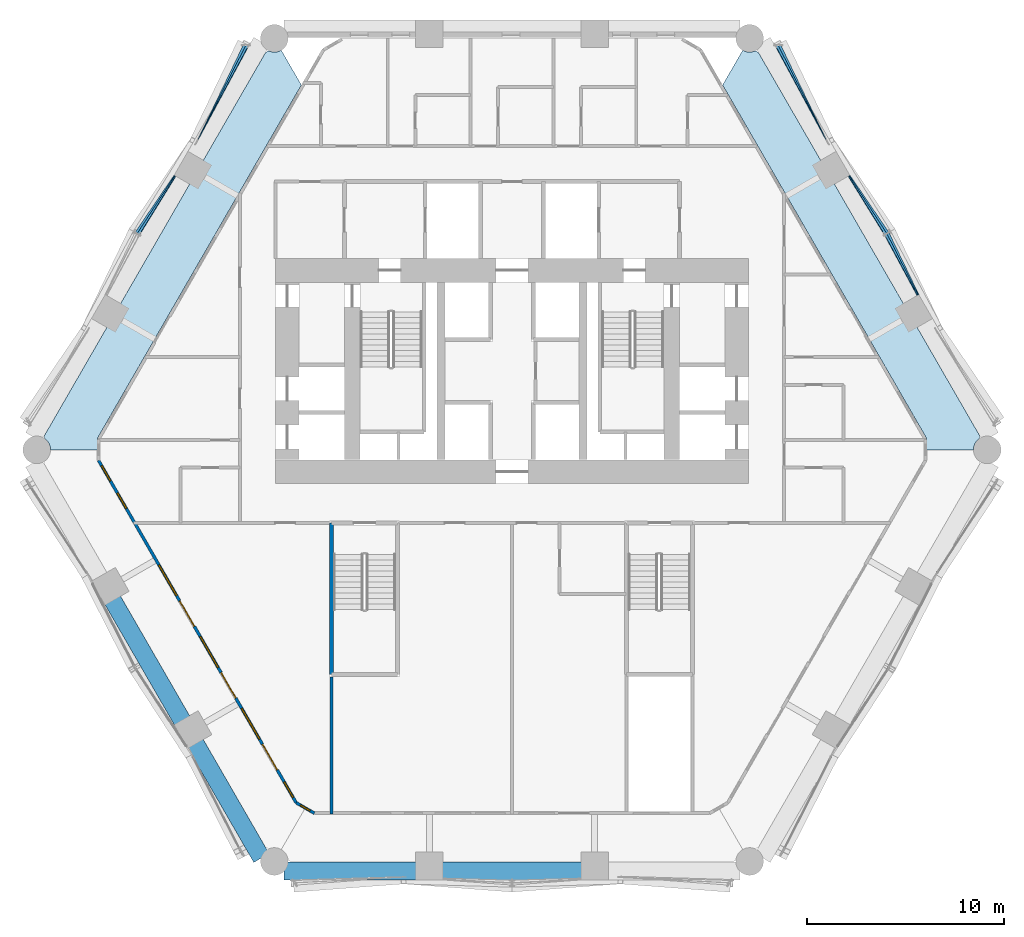
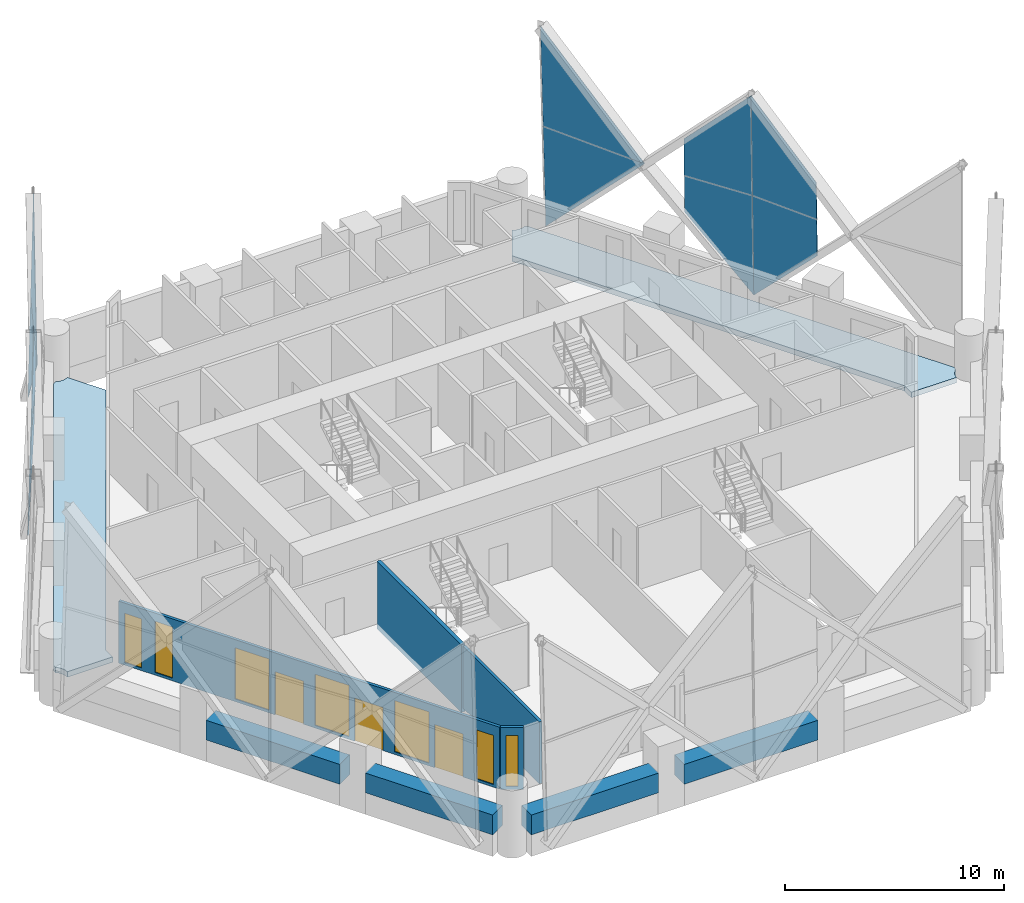
# One storey, part 10 of 22: 10 plates, 8 walls, 7 windows, 3 doors, 2 slabs, 10 openings, 8 elements without a shape of their own.
"""IFC4 building model written with IfcOpenShell, lengths in metres."""

from ifc_helpers import new_model, si_unit, direction, frame, frame_2d, origin, place, context, subcontext, project, spatial, polyline, rectangle, outline, extrude, material, layer, layer_set, type_object, element, fill, aggregate, save


model = new_model("IFC4")

# Units and contexts
model_context = context("Model", 3, precision=1e-05, world=origin(), true_north=direction((0.0, 1.0)))
body_context = subcontext(model_context, "Body", "Model", "MODEL_VIEW")
ifc_project = project(units=[si_unit("LENGTHUNIT", "METRE"), si_unit("AREAUNIT", "SQUARE_METRE"), si_unit("VOLUMEUNIT", "CUBIC_METRE"), si_unit("PLANEANGLEUNIT", "RADIAN"), si_unit("MASSUNIT", "GRAM", prefix="KILO")], contexts=[model_context])

# Site, building, storey
site_placement = place(None, origin())
site = spatial("IfcSite", under=ifc_project, at=site_placement, CompositionType="ELEMENT")
building_placement = place(site_placement, origin())
building = spatial("IfcBuilding", under=site, at=building_placement, Name="Ostrander Bayou Hotel Tower", CompositionType="ELEMENT")
storey_placement = place(building_placement, frame((0.0, 0.0, 35.5)))
storey = spatial("IfcBuildingStorey", under=building, at=storey_placement, Name="L08", CompositionType="ELEMENT", Elevation=35.5)

# Curtain wall, plate
ifc_material_1 = material(Name="Aluminium and clear glass", Category="aluminium")
curtain_wall_type = type_object("IfcCurtainWallType", Name="CW-LAT lattice glazing", PredefinedType="NOTDEFINED", material=ifc_material_1)
curtain_wall_1_placement = place(storey_placement, origin())
curtain_wall_1 = element("IfcCurtainWall", 1, at=curtain_wall_1_placement, inside=storey, type_object=curtain_wall_type, Name="CW-LAT L08 NW 3", PredefinedType="NOTDEFINED")
ifc_material_2 = material(Name="Clear laminated glass", Category="glass")
ifc_layer_1 = layer(ifc_material_2, 0.028076171875)
ifc_layer_set_1 = layer_set([ifc_layer_1], Name="CW-LA glazing panel 28 mm")
plate_type = type_object("IfcPlateType", Name="CW-LA glazing panel 28 mm", PredefinedType="CURTAIN_PANEL", material=ifc_layer_set_1)
plate_1_placement = place(storey_placement, frame((-16.0029296875, 15.6025390625, 5.02490234375), z_axis=(-0.890635098183, 0.454163745935, 0.022459157641), x_axis=(0.301815529557, 0.627372509875, -0.717851739547)))
plate_1 = element("IfcPlate", 2, at=plate_1_placement, type_object=plate_type, Name="CW-LAT panel 1", PredefinedType="CURTAIN_PANEL", context=body_context, shape_type="SweptSolid", body=[
    extrude(outline(polyline([(0.0, 0.0), (7.835879876180674, -4.440892098500626e-16), (3.840775077231162, -3.962307768069715), (0.0, 0.0)])), origin(), (0.0, 0.0, -1.0), 0.028076171875),
])
aggregate(curtain_wall_1, [plate_1])

curtain_wall_2_placement = place(storey_placement, origin())
curtain_wall_2 = element("IfcCurtainWall", 3, at=curtain_wall_2_placement, inside=storey, type_object=curtain_wall_type, Name="CW-LAT L08 NW 4", PredefinedType="NOTDEFINED")
plate_2_placement = place(storey_placement, frame((-16.0029296875, 15.6025390625, 5.02490234375), z_axis=(-0.890635870752, 0.454164139893, 0.022420521052), x_axis=(0.334143991684, 0.620236303147, 0.709686354018)))
plate_2 = element("IfcPlate", 4, at=plate_2_placement, type_object=plate_type, Name="CW-LAT panel 2", PredefinedType="CURTAIN_PANEL", context=body_context, shape_type="SweptSolid", body=[
    extrude(outline(polyline([(0.0, 0.0), (7.926036576792364, 4.440892098500626e-16), (3.8867355241166504, 3.917234101806442), (0.0, 0.0)])), origin(), (0.0, 0.0, -1.0), 0.028076171875),
])
aggregate(curtain_wall_2, [plate_2])

curtain_wall_3_placement = place(storey_placement, origin())
curtain_wall_3 = element("IfcCurtainWall", 5, at=curtain_wall_3_placement, inside=storey, type_object=curtain_wall_type, Name="CW-LAT L08 NW 1", PredefinedType="NOTDEFINED")
plate_3_placement = place(storey_placement, frame((-17.143310546875, 13.927734375, 2.96240234375), z_axis=(-0.838643838731, 0.544244591922, 0.021779254405), x_axis=(-0.394444088098, -0.579265122814, -0.713348287203)))
plate_3 = element("IfcPlate", 6, at=plate_3_placement, type_object=plate_type, Name="CW-LAT panel 3", PredefinedType="CURTAIN_PANEL", context=body_context, shape_type="SweptSolid", body=[
    extrude(outline(polyline([(0.0, 0.0), (4.994057615711855, -4.440892098500626e-16), (0.9749837354017745, 3.937353919673847), (-1.4713519345788906, 1.4460425904458272), (0.0, 0.0)])), origin(), (0.0, 0.0, -1.0), 0.028076171875),
])
aggregate(curtain_wall_3, [plate_3])

curtain_wall_4_placement = place(storey_placement, origin())
curtain_wall_4 = element("IfcCurtainWall", 7, at=curtain_wall_4_placement, inside=storey, type_object=curtain_wall_type, Name="CW-LAT L08 NW 2", PredefinedType="NOTDEFINED")
plate_4_placement = place(storey_placement, frame((-17.0673828125, 13.879638671875, 7.09130859375), z_axis=(-0.838652185889, 0.544232114577, 0.02176962487), x_axis=(-0.367903027677, -0.595499091639, 0.714162582388)))
plate_4 = element("IfcPlate", 8, at=plate_4_placement, type_object=plate_type, Name="CW-LAT panel 4", PredefinedType="CURTAIN_PANEL", context=body_context, shape_type="SweptSolid", body=[
    extrude(outline(polyline([(0.0, 0.0), (4.982889061400334, -4.440892098500626e-16), (0.968304502515396, -3.9419246135918904), (-1.4763664641626322, -1.4465147424479634), (0.0, 0.0)])), origin(), (0.0, 0.0, -1.0), 0.028076171875),
])
aggregate(curtain_wall_4, [plate_4])

curtain_wall_5_placement = place(storey_placement, origin())
curtain_wall_5 = element("IfcCurtainWall", 9, at=curtain_wall_5_placement, inside=storey, type_object=curtain_wall_type, Name="CW-LAT L08 NE 1", PredefinedType="NOTDEFINED")
plate_5_placement = place(storey_placement, frame((20.633544921875, 7.8828125, 2.96240234375), z_axis=(0.890635097681, 0.454195768275, 0.021801992127), x_axis=(-0.304428481532, 0.631198751382, -0.713380288406)))
plate_5 = element("IfcPlate", 10, at=plate_5_placement, type_object=plate_type, Name="CW-LAT panel 3", PredefinedType="CURTAIN_PANEL", context=body_context, shape_type="SweptSolid", body=[
    extrude(outline(polyline([(0.0, 0.0), (4.9938301762719775, 0.0), (0.974791623164807, 3.9373899813730233), (-1.4713372677323084, 1.446062526276006), (0.0, 0.0)])), origin(), (0.0, 0.0, -1.0), 0.028076171875),
])

curtain_wall_6_placement = place(storey_placement, origin())
curtain_wall_6 = element("IfcCurtainWall", 11, at=curtain_wall_6_placement, inside=storey, type_object=curtain_wall_type, Name="CW-LAT L08 NE 2", PredefinedType="NOTDEFINED")
plate_6_placement = place(storey_placement, frame((20.5537109375, 7.841064453125, 7.09130859375), z_axis=(0.890643995806, 0.454178797295, 0.02179203576), x_axis=(-0.33178010473, 0.616353908431, 0.714163721893)))
plate_6 = element("IfcPlate", 12, at=plate_6_placement, type_object=plate_type, Name="CW-LAT panel 4", PredefinedType="CURTAIN_PANEL", context=body_context, shape_type="SweptSolid", body=[
    extrude(outline(polyline([(0.0, 0.0), (4.982877360227583, 4.440892098500626e-16), (0.9682407227899055, -3.9418715712910695), (-1.476477473405865, -1.4464066998835963), (0.0, 0.0)])), origin(), (0.0, 0.0, -1.0), 0.028076171875),
])

curtain_wall_7_placement = place(storey_placement, origin())
curtain_wall_7 = element("IfcCurtainWall", 13, at=curtain_wall_7_placement, inside=storey, type_object=curtain_wall_type, Name="CW-LAT L08 NE 3", PredefinedType="NOTDEFINED")
plate_7_placement = place(storey_placement, frame((17.143310546875, 13.927734375, 2.96240234375), z_axis=(0.838643838731, 0.544244591922, 0.021779254405), x_axis=(0.394444088098, -0.579265122814, -0.713348287203)))
plate_7 = element("IfcPlate", 14, at=plate_7_placement, type_object=plate_type, Name="CW-LAT panel 5", PredefinedType="CURTAIN_PANEL", context=body_context, shape_type="SweptSolid", body=[
    extrude(outline(polyline([(0.0, 0.0), (4.994057615711855, 4.440892098500626e-16), (0.9749837354017745, -3.937353919673847), (-1.4713519345788906, -1.4460425904458272), (0.0, 0.0)])), origin(), (0.0, 0.0, -1.0), 0.028076171875),
])
aggregate(curtain_wall_7, [plate_7])

curtain_wall_8_placement = place(storey_placement, origin())
curtain_wall_8 = element("IfcCurtainWall", 15, at=curtain_wall_8_placement, inside=storey, type_object=curtain_wall_type, Name="CW-LAT L08 NE 4", PredefinedType="NOTDEFINED")
plate_8_placement = place(storey_placement, frame((17.0673828125, 13.879638671875, 7.09130859375), z_axis=(0.838652185889, 0.544232114577, 0.02176962487), x_axis=(0.367903027677, -0.595499091639, 0.714162582388)))
plate_8 = element("IfcPlate", 16, at=plate_8_placement, type_object=plate_type, Name="CW-LAT panel 6", PredefinedType="CURTAIN_PANEL", context=body_context, shape_type="SweptSolid", body=[
    extrude(outline(polyline([(0.0, 0.0), (4.982889061400334, 4.440892098500626e-16), (0.968304502515396, 3.9419246135918904), (-1.4763664641626322, 1.4465147424479634), (0.0, 0.0)])), origin(), (0.0, 0.0, -1.0), 0.028076171875),
])
aggregate(curtain_wall_8, [plate_8])

# Plate
plate_9_placement = place(storey_placement, frame((16.0029296875, 15.6025390625, 5.02490234375), z_axis=(0.890635098183, 0.454163745935, 0.022459157641), x_axis=(-0.301815529557, 0.627372509875, -0.717851739547)))
plate_9 = element("IfcPlate", 17, at=plate_9_placement, type_object=plate_type, Name="CW-LAT panel 7", PredefinedType="CURTAIN_PANEL", context=body_context, shape_type="SweptSolid", body=[
    extrude(outline(polyline([(0.0, 0.0), (7.835879876180674, 4.440892098500626e-16), (3.840775077231162, 3.962307768069715), (0.0, 0.0)])), origin(), (0.0, 0.0, -1.0), 0.028076171875),
])

aggregate(curtain_wall_5, [plate_5, plate_9])

plate_10_placement = place(storey_placement, frame((16.0029296875, 15.6025390625, 5.02490234375), z_axis=(0.890635870752, 0.454164139893, 0.022420521052), x_axis=(-0.334143991684, 0.620236303147, 0.709686354018)))
plate_10 = element("IfcPlate", 18, at=plate_10_placement, type_object=plate_type, Name="CW-LAT panel 8", PredefinedType="CURTAIN_PANEL", context=body_context, shape_type="SweptSolid", body=[
    extrude(outline(polyline([(0.0, 0.0), (7.926036576792364, -4.440892098500626e-16), (3.8867355241166504, -3.917234101806442), (0.0, 0.0)])), origin(), (0.0, 0.0, -1.0), 0.028076171875),
])

aggregate(curtain_wall_6, [plate_6, plate_10])

# Slabs
ifc_material_3 = material(Name="Concrete f'c 40 MPa", Category="concrete")
ifc_layer_2 = layer(ifc_material_3, 0.300048828125)
ifc_layer_set_2 = layer_set([ifc_layer_2], Name="SL4 loggia slab 300 mm f'c 40 MPa")
slab_type = type_object("IfcSlabType", Name="SL4 loggia slab 300 mm f'c 40 MPa", PredefinedType="FLOOR", material=ifc_layer_set_2)
slab_1_placement = place(storey_placement, frame((0.0, 0.0, -0.300048828125)))
element("IfcSlab", 19, at=slab_1_placement, inside=storey, type_object=slab_type, Name="SL4 LOGGIA L08 NW 1", PredefinedType="FLOOR", context=body_context, shape_type="SweptSolid", body=[
    extrude(outline(polyline([(-23.401123046875, 0.0), (-23.41455078125, 0.13671875), (-23.45458984375, 0.267822265625), (-23.519287109375, 0.388916015625), (-23.606201171875, 0.4951171875), (-23.7001953125, 0.572021484375), (-23.7001953125, 0.75), (-20.53271484375, 6.236328125), (-19.862548828125, 7.39697265625), (-16.337158203125, 13.503173828125), (-15.667236328125, 14.66357421875), (-12.49951171875, 20.14990234375), (-12.344482421875, 20.239501953125), (-12.318603515625, 20.2255859375), (-12.187255859375, 20.185791015625), (-12.050537109375, 20.172119140625), (-11.9140625, 20.185791015625), (-11.78271484375, 20.2255859375), (-11.7021484375, 20.2685546875), (-10.680908203125, 18.5), (-21.015380859375, 0.60009765625), (-21.015380859375, 0.0), (-23.401123046875, 0.0)])), origin(), (0.0, 0.0, 1.0), 0.300048828125),
])
slab_2_placement = place(storey_placement, frame((0.0, 0.0, -0.300048828125)))
element("IfcSlab", 20, at=slab_2_placement, inside=storey, type_object=slab_type, Name="SL4 LOGGIA L08 NE 1", PredefinedType="FLOOR", context=body_context, shape_type="SweptSolid", body=[
    extrude(outline(polyline([(11.7021484375, 20.2685546875), (11.78271484375, 20.2255859375), (11.9140625, 20.185791015625), (12.050537109375, 20.172119140625), (12.187255859375, 20.185791015625), (12.318603515625, 20.2255859375), (12.344482421875, 20.239501953125), (12.49951171875, 20.14990234375), (13.924560546875, 17.681884765625), (14.598388671875, 16.5146484375), (15.667236328125, 14.66357421875), (16.337158203125, 13.503173828125), (19.862548828125, 7.39697265625), (20.53271484375, 6.236328125), (23.7001953125, 0.75), (23.7001953125, 0.572021484375), (23.606201171875, 0.4951171875), (23.519287109375, 0.388916015625), (23.45458984375, 0.267822265625), (23.41455078125, 0.13671875), (23.401123046875, 0.0), (21.015380859375, 0.0), (21.015380859375, 0.60009765625), (10.680908203125, 18.5), (11.7021484375, 20.2685546875)])), origin(), (0.0, 0.0, 1.0), 0.300048828125),
])

# Wall, openings, doors, windows
ifc_material_4 = material(Name="Aluminium framed insulated wall", Category="aluminium")
ifc_layer_3 = layer(ifc_material_4, 0.14990234375)
ifc_layer_set_3 = layer_set([ifc_layer_3], Name="GW1 glass-line wall 150 mm")
wall_type_1 = type_object("IfcWallType", Name="GW1 glass-line wall 150 mm", PredefinedType="SOLIDWALL", material=ifc_layer_set_3)
wall_1_placement = place(storey_placement, frame((-20.968017578125, -0.532470703125, 0.0), z_axis=(0.0, 0.0, 1.0), x_axis=(0.500003237297, -0.866023534722, 0.0)))
wall_1 = element("IfcWall", 21, at=wall_1_placement, inside=storey, type_object=wall_type_1, Name="GW1 L08 SW 1", PredefinedType="SOLIDWALL", context=body_context, shape_type="SweptSolid", body=[
    extrude(rectangle(XDim=20.045654296875, YDim=0.14990234375, at=frame_2d((10.02294921875, 0.0))), origin(), (0.0, 0.0, 1.0), 3.449951171875),
])
opening_1_placement = place(wall_1_placement, frame((1.9228515625, 0.0, 0.14990234375)))
opening_1 = element("IfcOpeningElement", 22, at=opening_1_placement, cuts=wall_1, Name="Opening W15", PredefinedType="OPENING", context=body_context, shape_type="SweptSolid", body=[
    extrude(rectangle(XDim=0.89990234375, YDim=2.85009765625, at=frame_2d((0.449951171875, 1.425048828125))), frame((0.0, 0.074951171875, 0.0), z_axis=(0.0, -1.0, 0.0), x_axis=(1.0, 0.0, 0.0)), (0.0, 0.0, 1.0), 0.14990234375),
])
opening_2_placement = place(wall_1_placement, frame((6.122802734375, 0.0, 0.14990234375)))
opening_2 = element("IfcOpeningElement", 23, at=opening_2_placement, cuts=wall_1, Name="Opening W1", PredefinedType="OPENING", context=body_context, shape_type="SweptSolid", body=[
    extrude(rectangle(XDim=1.800048828125, YDim=2.85009765625, at=frame_2d((0.89990234375, 1.425048828125))), frame((0.0, 0.074951171875, 0.0), z_axis=(0.0, -1.0, 0.0), x_axis=(1.0, 0.0, 0.0)), (0.0, 0.0, 1.0), 0.14990234375),
])
opening_3_placement = place(wall_1_placement, frame((8.222900390625, 0.0, 0.0)))
opening_3 = element("IfcOpeningElement", 24, at=opening_3_placement, cuts=wall_1, Name="Opening T06-801", PredefinedType="OPENING", context=body_context, shape_type="SweptSolid", body=[
    extrude(rectangle(XDim=1.5, YDim=2.39990234375, at=frame_2d((0.75, 1.199951171875))), frame((0.0, 0.074951171875, 0.0), z_axis=(0.0, -1.0, 0.0), x_axis=(1.0, 0.0, 0.0)), (0.0, 0.0, 1.0), 0.14990234375),
])
opening_4_placement = place(wall_1_placement, frame((10.32275390625, 0.0, 0.14990234375)))
opening_4 = element("IfcOpeningElement", 25, at=opening_4_placement, cuts=wall_1, Name="Opening W1", PredefinedType="OPENING", context=body_context, shape_type="SweptSolid", body=[
    extrude(rectangle(XDim=1.800048828125, YDim=2.85009765625, at=frame_2d((0.89990234375, 1.425048828125))), frame((0.0, 0.074951171875, 0.0), z_axis=(0.0, -1.0, 0.0), x_axis=(1.0, 0.0, 0.0)), (0.0, 0.0, 1.0), 0.14990234375),
])
opening_5_placement = place(wall_1_placement, frame((12.4228515625, 0.0, 0.0)))
opening_5 = element("IfcOpeningElement", 26, at=opening_5_placement, cuts=wall_1, Name="Opening T06-802", PredefinedType="OPENING", context=body_context, shape_type="SweptSolid", body=[
    extrude(rectangle(XDim=1.5, YDim=2.39990234375, at=frame_2d((0.75, 1.199951171875))), frame((0.0, 0.074951171875, 0.0), z_axis=(0.0, -1.0, 0.0), x_axis=(1.0, 0.0, 0.0)), (0.0, 0.0, 1.0), 0.14990234375),
])
opening_6_placement = place(wall_1_placement, frame((14.522705078125, 0.0, 0.14990234375)))
opening_6 = element("IfcOpeningElement", 27, at=opening_6_placement, cuts=wall_1, Name="Opening W1", PredefinedType="OPENING", context=body_context, shape_type="SweptSolid", body=[
    extrude(rectangle(XDim=1.800048828125, YDim=2.85009765625, at=frame_2d((0.89990234375, 1.425048828125))), frame((0.0, 0.074951171875, 0.0), z_axis=(0.0, -1.0, 0.0), x_axis=(1.0, 0.0, 0.0)), (0.0, 0.0, 1.0), 0.14990234375),
])
opening_7_placement = place(wall_1_placement, frame((16.622802734375, 0.0, 0.0)))
opening_7 = element("IfcOpeningElement", 28, at=opening_7_placement, cuts=wall_1, Name="Opening T06-803", PredefinedType="OPENING", context=body_context, shape_type="SweptSolid", body=[
    extrude(rectangle(XDim=1.5, YDim=2.39990234375, at=frame_2d((0.75, 1.199951171875))), frame((0.0, 0.074951171875, 0.0), z_axis=(0.0, -1.0, 0.0), x_axis=(1.0, 0.0, 0.0)), (0.0, 0.0, 1.0), 0.14990234375),
])
opening_8_placement = place(wall_1_placement, frame((0.311279296875, 0.0, 0.14990234375)))
opening_8 = element("IfcOpeningElement", 29, at=opening_8_placement, cuts=wall_1, Name="Opening W15", PredefinedType="OPENING", context=body_context, shape_type="SweptSolid", body=[
    extrude(rectangle(XDim=0.89990234375, YDim=2.72998046875, at=frame_2d((0.449951171875, 1.364990234375))), frame((0.0, 0.074951171875, 0.0), z_axis=(0.0, -1.0, 0.0), x_axis=(1.0, 0.0, 0.0)), (0.0, 0.0, 1.0), 0.14990234375),
])
opening_9_placement = place(wall_1_placement, frame((18.834228515625, 0.0, 0.14990234375)))
opening_9 = element("IfcOpeningElement", 30, at=opening_9_placement, cuts=wall_1, Name="Opening W15", PredefinedType="OPENING", context=body_context, shape_type="SweptSolid", body=[
    extrude(rectangle(XDim=0.89990234375, YDim=2.72998046875, at=frame_2d((0.449951171875, 1.364990234375))), frame((0.0, 0.074951171875, 0.0), z_axis=(0.0, -1.0, 0.0), x_axis=(1.0, 0.0, 0.0)), (0.0, 0.0, 1.0), 0.14990234375),
])
ifc_material_5 = material(Name="Aluminium and clear glass", Category="aluminium")
door_type = type_object("IfcDoorType", Name="SD1 sliding glass door 1500 mm, zone 1", OperationType="SLIDING_TO_LEFT", PredefinedType="DOOR", material=ifc_material_5)
door_1_placement = place(opening_3_placement, origin())
door_1 = element("IfcDoor", 31, at=door_1_placement, inside=storey, type_object=door_type, Name="SD1 L08 SW 2", OperationType="SLIDING_TO_RIGHT", OverallHeight=2.39990234375, OverallWidth=1.5, PredefinedType="DOOR", context=body_context, shape_type="SweptSolid", body=[
    extrude(rectangle(XDim=1.5, YDim=2.39990234375, at=frame_2d((0.75, 1.199951171875))), frame((0.0, 0.02490234375, 0.0), z_axis=(0.0, -1.0, 0.0), x_axis=(1.0, 0.0, 0.0)), (0.0, 0.0, 1.0), 0.050048828125),
])
fill(opening_3, door_1)
door_2_placement = place(opening_5_placement, origin())
door_2 = element("IfcDoor", 32, at=door_2_placement, inside=storey, type_object=door_type, Name="SD1 L08 SW 3", OperationType="SLIDING_TO_LEFT", OverallHeight=2.39990234375, OverallWidth=1.5, PredefinedType="DOOR", context=body_context, shape_type="SweptSolid", body=[
    extrude(rectangle(XDim=1.5, YDim=2.39990234375, at=frame_2d((0.75, 1.199951171875))), frame((0.0, 0.02490234375, 0.0), z_axis=(0.0, -1.0, 0.0), x_axis=(1.0, 0.0, 0.0)), (0.0, 0.0, 1.0), 0.050048828125),
])
fill(opening_5, door_2)
door_3_placement = place(opening_7_placement, origin())
door_3 = element("IfcDoor", 33, at=door_3_placement, inside=storey, type_object=door_type, Name="SD1 L08 SW 4", OperationType="SLIDING_TO_RIGHT", OverallHeight=2.39990234375, OverallWidth=1.5, PredefinedType="DOOR", context=body_context, shape_type="SweptSolid", body=[
    extrude(rectangle(XDim=1.5, YDim=2.39990234375, at=frame_2d((0.75, 1.199951171875))), frame((0.0, 0.02490234375, 0.0), z_axis=(0.0, -1.0, 0.0), x_axis=(1.0, 0.0, 0.0)), (0.0, 0.0, 1.0), 0.050048828125),
])
fill(opening_7, door_3)
ifc_material_6 = material(Name="Aluminium and clear glass", Category="aluminium")
window_type_1 = type_object("IfcWindowType", Name="W1 fixed window 1800 mm, zone 1", PartitioningType="SINGLE_PANEL", PredefinedType="WINDOW", material=ifc_material_6)
window_1_placement = place(opening_2_placement, origin())
window_1 = element("IfcWindow", 34, at=window_1_placement, inside=storey, type_object=window_type_1, Name="W1 L08 SW 2", OverallHeight=2.85009765625, OverallWidth=1.800048828125, PartitioningType="SINGLE_PANEL", PredefinedType="WINDOW", context=body_context, shape_type="SweptSolid", body=[
    extrude(rectangle(XDim=1.800048828125, YDim=2.85009765625, at=frame_2d((0.89990234375, 1.425048828125))), frame((0.0, 0.030029296875, 0.0), z_axis=(0.0, -1.0, 0.0), x_axis=(1.0, 0.0, 0.0)), (0.0, 0.0, 1.0), 0.06005859375),
])
fill(opening_2, window_1)
window_2_placement = place(opening_4_placement, origin())
window_2 = element("IfcWindow", 35, at=window_2_placement, inside=storey, type_object=window_type_1, Name="W1 L08 SW 3", OverallHeight=2.85009765625, OverallWidth=1.800048828125, PartitioningType="SINGLE_PANEL", PredefinedType="WINDOW", context=body_context, shape_type="SweptSolid", body=[
    extrude(rectangle(XDim=1.800048828125, YDim=2.85009765625, at=frame_2d((0.89990234375, 1.425048828125))), frame((0.0, 0.030029296875, 0.0), z_axis=(0.0, -1.0, 0.0), x_axis=(1.0, 0.0, 0.0)), (0.0, 0.0, 1.0), 0.06005859375),
])
fill(opening_4, window_2)
window_3_placement = place(opening_6_placement, origin())
window_3 = element("IfcWindow", 36, at=window_3_placement, inside=storey, type_object=window_type_1, Name="W1 L08 SW 4", OverallHeight=2.85009765625, OverallWidth=1.800048828125, PartitioningType="SINGLE_PANEL", PredefinedType="WINDOW", context=body_context, shape_type="SweptSolid", body=[
    extrude(rectangle(XDim=1.800048828125, YDim=2.85009765625, at=frame_2d((0.89990234375, 1.425048828125))), frame((0.0, 0.030029296875, 0.0), z_axis=(0.0, -1.0, 0.0), x_axis=(1.0, 0.0, 0.0)), (0.0, 0.0, 1.0), 0.06005859375),
])
fill(opening_6, window_3)
ifc_material_7 = material(Name="Aluminium and clear glass", Category="aluminium")
window_type_2 = type_object("IfcWindowType", Name="W15 window 900 mm, zone 1", PartitioningType="SINGLE_PANEL", PredefinedType="WINDOW", material=ifc_material_7)
window_4_placement = place(opening_1_placement, origin())
window_4 = element("IfcWindow", 37, at=window_4_placement, inside=storey, type_object=window_type_2, Name="W15 L08 SW 1", OverallHeight=2.85009765625, OverallWidth=0.89990234375, PartitioningType="SINGLE_PANEL", PredefinedType="WINDOW", context=body_context, shape_type="SweptSolid", body=[
    extrude(rectangle(XDim=0.89990234375, YDim=2.85009765625, at=frame_2d((0.449951171875, 1.425048828125))), frame((0.0, 0.030029296875, 0.0), z_axis=(0.0, -1.0, 0.0), x_axis=(1.0, 0.0, 0.0)), (0.0, 0.0, 1.0), 0.06005859375),
])
fill(opening_1, window_4)
window_5_placement = place(opening_8_placement, origin())
window_5 = element("IfcWindow", 38, at=window_5_placement, inside=storey, type_object=window_type_2, Name="W15 L08 SW E11", OverallHeight=2.72998046875, OverallWidth=0.89990234375, PartitioningType="SINGLE_PANEL", PredefinedType="WINDOW", context=body_context, shape_type="SweptSolid", body=[
    extrude(rectangle(XDim=0.89990234375, YDim=2.72998046875, at=frame_2d((0.449951171875, 1.364990234375))), frame((0.0, 0.030029296875, 0.0), z_axis=(0.0, -1.0, 0.0), x_axis=(1.0, 0.0, 0.0)), (0.0, 0.0, 1.0), 0.06005859375),
])
fill(opening_8, window_5)
window_6_placement = place(opening_9_placement, origin())
window_6 = element("IfcWindow", 39, at=window_6_placement, inside=storey, type_object=window_type_2, Name="W15 L08 SW E21", OverallHeight=2.72998046875, OverallWidth=0.89990234375, PartitioningType="SINGLE_PANEL", PredefinedType="WINDOW", context=body_context, shape_type="SweptSolid", body=[
    extrude(rectangle(XDim=0.89990234375, YDim=2.72998046875, at=frame_2d((0.449951171875, 1.364990234375))), frame((0.0, 0.030029296875, 0.0), z_axis=(0.0, -1.0, 0.0), x_axis=(1.0, 0.0, 0.0)), (0.0, 0.0, 1.0), 0.06005859375),
])
fill(opening_9, window_6)

# Wall, opening, window
wall_2_placement = place(storey_placement, frame((-10.945068359375, -17.892578125, 0.0), z_axis=(0.0, 0.0, 1.0), x_axis=(0.866048165231, -0.499960573946, 0.0)))
wall_2 = element("IfcWall", 40, at=wall_2_placement, inside=storey, type_object=wall_type_1, Name="GW1 L08 corner 3", PredefinedType="SOLIDWALL", context=body_context, shape_type="SweptSolid", body=[
    extrude(rectangle(XDim=1.06494140625, YDim=0.14990234375, at=frame_2d((0.532470703125, 0.0))), origin(), (0.0, 0.0, 1.0), 3.449951171875),
])
opening_10_placement = place(wall_2_placement, frame((0.257568359375, 0.0, 0.14990234375)))
opening_10 = element("IfcOpeningElement", 41, at=opening_10_placement, cuts=wall_2, Name="Opening W19", PredefinedType="OPENING", context=body_context, shape_type="SweptSolid", body=[
    extrude(rectangle(XDim=0.550048828125, YDim=2.85009765625, at=frame_2d((0.27490234375, 1.425048828125))), frame((0.0, 0.074951171875, 0.0), z_axis=(0.0, -1.0, 0.0), x_axis=(1.0, 0.0, 0.0)), (0.0, 0.0, 1.0), 0.14990234375),
])
ifc_material_8 = material(Name="Aluminium and clear glass", Category="aluminium")
window_type_3 = type_object("IfcWindowType", Name="W19 corner window 550 mm", PartitioningType="SINGLE_PANEL", PredefinedType="WINDOW", material=ifc_material_8)
window_7_placement = place(opening_10_placement, origin())
window_7 = element("IfcWindow", 42, at=window_7_placement, inside=storey, type_object=window_type_3, Name="W19 L08 corner 3", OverallHeight=2.85009765625, OverallWidth=0.550048828125, PartitioningType="SINGLE_PANEL", PredefinedType="WINDOW", context=body_context, shape_type="SweptSolid", body=[
    extrude(rectangle(XDim=0.550048828125, YDim=2.85009765625, at=frame_2d((0.27490234375, 1.425048828125))), frame((0.0, 0.030029296875, 0.0), z_axis=(0.0, -1.0, 0.0), x_axis=(1.0, 0.0, 0.0)), (0.0, 0.0, 1.0), 0.06005859375),
])
fill(opening_10, window_7)

# Walls
ifc_material_9 = material(Name="Concrete f'c 40 MPa", Category="concrete")
ifc_layer_4 = layer(ifc_material_9, 0.89990234375)
ifc_layer_set_4 = layer_set([ifc_layer_4], Name="PA1 stone-faced parapet 900 mm")
wall_type_2 = type_object("IfcWallType", Name="PA1 stone-faced parapet 900 mm", PredefinedType="PARAPET", material=ifc_layer_set_4)
wall_3_placement = place(storey_placement, frame((-11.569091796875, -21.35009765625, 0.0), z_axis=(0.0, 0.0, 1.0), x_axis=(1.0, 0.0, 0.0)))
element("IfcWall", 43, at=wall_3_placement, inside=storey, type_object=wall_type_2, Name="PA1 L08 S-1", PredefinedType="PARAPET", context=body_context, shape_type="SweptSolid", body=[
    extrude(rectangle(XDim=6.70361328125, YDim=0.89990234375, at=frame_2d((3.351806640625, 0.0))), origin(), (0.0, 0.0, 1.0), 1.10009765625),
])
wall_4_placement = place(storey_placement, frame((-3.525390625, -21.35009765625, 0.0), z_axis=(0.0, 0.0, 1.0), x_axis=(1.0, 0.0, 0.0)))
element("IfcWall", 44, at=wall_4_placement, inside=storey, type_object=wall_type_2, Name="PA1 L08 S-2", PredefinedType="PARAPET", context=body_context, shape_type="SweptSolid", body=[
    extrude(rectangle(XDim=7.05078125, YDim=0.89990234375, at=frame_2d((3.525390625, 0.0))), origin(), (0.0, 0.0, 1.0), 1.10009765625),
])
ifc_material_10 = material(Name="Limestone masonry", Category="masonry")
ifc_layer_5 = layer(ifc_material_10, 0.89990234375)
ifc_layer_set_5 = layer_set([ifc_layer_5], Name="PA2 limestone parapet 900 mm")
wall_type_3 = type_object("IfcWallType", Name="PA2 limestone parapet 900 mm", PredefinedType="PARAPET", material=ifc_layer_set_5)
wall_5_placement = place(storey_placement, frame((-20.252197265625, -7.621826171875, 0.0), z_axis=(0.0, 0.0, 1.0), x_axis=(0.499997206141, -0.866027016814, 0.0)))
element("IfcWall", 45, at=wall_5_placement, inside=storey, type_object=wall_type_3, Name="PA2 L08 SW-2", PredefinedType="PARAPET", context=body_context, shape_type="SweptSolid", body=[
    extrude(rectangle(XDim=7.05078125, YDim=0.89990234375, at=frame_2d((3.525390625, 0.0))), origin(), (0.0, 0.0, 1.0), 1.10009765625),
])
wall_6_placement = place(storey_placement, frame((-16.056884765625, -14.888671875, 0.0), z_axis=(0.0, 0.0, 1.0), x_axis=(0.500005133765, -0.866022439784, 0.0)))
element("IfcWall", 46, at=wall_6_placement, inside=storey, type_object=wall_type_3, Name="PA2 L08 SW-3", PredefinedType="PARAPET", context=body_context, shape_type="SweptSolid", body=[
    extrude(rectangle(XDim=6.70361328125, YDim=0.89990234375, at=frame_2d((3.351806640625, 0.0))), origin(), (0.0, 0.0, 1.0), 1.10009765625),
])
ifc_material_11 = material(Name="Gypsum board partition", Category="finish")
ifc_layer_6 = layer(ifc_material_11, 0.14990234375)
ifc_layer_set_6 = layer_set([ifc_layer_6], Name="PT8 service band wall 150 mm, 1 hour")
wall_type_4 = type_object("IfcWallType", Name="PT8 service band wall 150 mm, 1 hour", PredefinedType="PARTITIONING", material=ifc_layer_set_6)
wall_7_placement = place(storey_placement, frame((-9.14990234375, -18.469970703125, 0.0), z_axis=(0.0, 0.0, 1.0), x_axis=(0.0, 1.0, 0.0)))
element("IfcWall", 47, at=wall_7_placement, inside=storey, type_object=wall_type_4, Name="gw:L08:035", PredefinedType="PARTITIONING", context=body_context, shape_type="SweptSolid", body=[
    extrude(rectangle(XDim=6.9599609375, YDim=0.14990234375, at=frame_2d((3.47998046875, 0.0))), origin(), (0.0, 0.0, 1.0), 3.449951171875),
])
ifc_material_12 = material(Name="Concrete f'c 45 MPa", Category="concrete")
ifc_layer_7 = layer(ifc_material_12, 0.199951171875)
ifc_layer_set_7 = layer_set([ifc_layer_7], Name="SW5 stair enclosure wall 200 mm f'c 45 MPa")
wall_type_5 = type_object("IfcWallType", Name="SW5 stair enclosure wall 200 mm f'c 45 MPa", PredefinedType="SOLIDWALL", material=ifc_layer_set_7)
wall_8_placement = place(storey_placement, frame((-9.14990234375, -3.699951171875, -0.300048828125), z_axis=(0.0, 0.0, 1.0), x_axis=(0.0, -1.0, 0.0)))
element("IfcWall", 48, at=wall_8_placement, inside=storey, type_object=wall_type_5, Name="cs:L08:022", PredefinedType="SOLIDWALL", context=body_context, shape_type="SweptSolid", body=[
    extrude(rectangle(XDim=7.699951171875, YDim=0.199951171875, at=frame_2d((3.85009765625, 0.0))), origin(), (0.0, 0.0, 1.0), 3.75),
])

save(model, "model.ifc")
